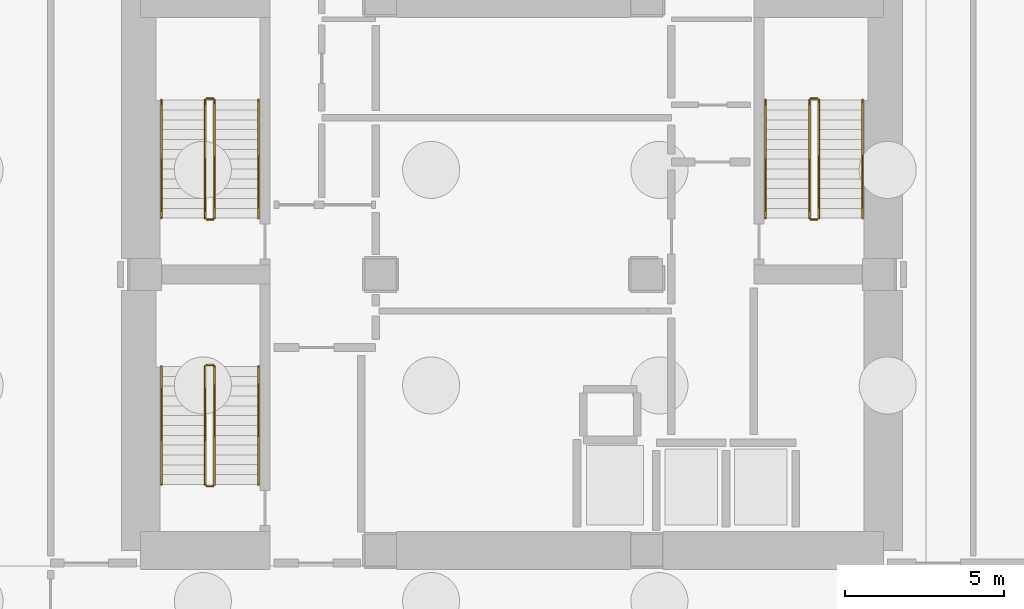
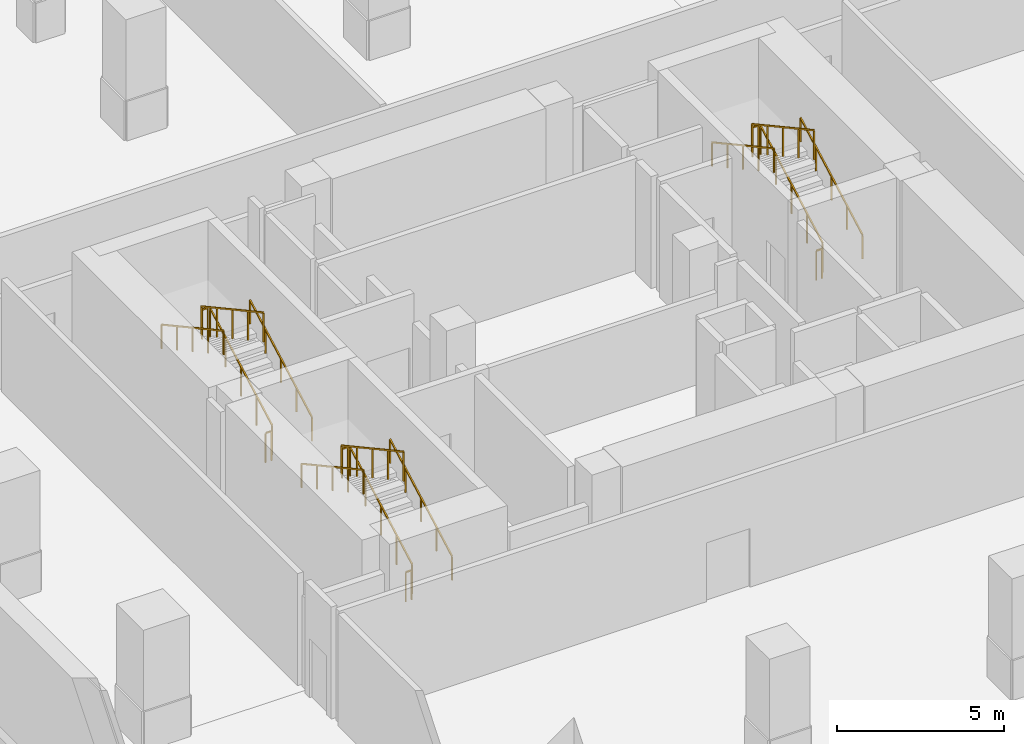
# One storey, part 11 of 13: 18 railings.
"""IFC4 building model written with IfcOpenShell, lengths in metres."""

from ifc_helpers import new_model, si_unit, direction, frame, origin, origin_2d, place, context, subcontext, project, spatial, rectangle, extrude, material, type_object, element, save


model = new_model("IFC4")

# Units and contexts
model_context = context("Model", 3, precision=1e-05, world=origin(), true_north=direction((0.0, 1.0)))
body_context = subcontext(model_context, "Body", "Model", "MODEL_VIEW")
ifc_project = project(units=[si_unit("LENGTHUNIT", "METRE"), si_unit("AREAUNIT", "SQUARE_METRE"), si_unit("VOLUMEUNIT", "CUBIC_METRE"), si_unit("PLANEANGLEUNIT", "RADIAN"), si_unit("MASSUNIT", "GRAM", prefix="KILO")], contexts=[model_context])

# Site, building, storey
site_placement = place(None, origin())
site = spatial("IfcSite", under=ifc_project, at=site_placement, CompositionType="ELEMENT")
building_placement = place(site_placement, origin())
building = spatial("IfcBuilding", under=site, at=building_placement, Name="Solanera Arch Residences", CompositionType="ELEMENT")
storey_placement = place(building_placement, frame((0.0, 0.0, -13.199951171875)))
storey = spatial("IfcBuildingStorey", under=building, at=storey_placement, Name="B03", CompositionType="ELEMENT", Elevation=-13.199951171875)

# Railings
ifc_material_1 = material(Name="Steel S355 (ASTM A992 / A572 Grade 50)", Category="steel")
railing_type_1 = type_object("IfcRailingType", Name="Stair Guardrail GR-1100", PredefinedType="GUARDRAIL", material=ifc_material_1)
railing_1_placement = place(storey_placement, frame((15.570068359375, 32.47998046875, 0.154052734375)))
element("IfcRailing", 1, at=railing_1_placement, inside=storey, type_object=railing_type_1, Name="B03 ST-T1 stair guard 1", PredefinedType="GUARDRAIL", context=body_context, shape_type="SweptSolid", body=[
    extrude(rectangle(XDim=0.048095703125, YDim=0.048095703125, at=origin_2d()), frame((0.0, 0.0, 1.076171875), z_axis=(0.0, 0.877703980351, 0.479203216679), x_axis=(-1.0, 0.0, 0.0)), (0.0, 0.0, 1.0), 4.23828125),
    extrude(rectangle(XDim=0.0419921875, YDim=0.0419921875, at=origin_2d()), origin(), (0.0, 0.0, 1.0), 1.052001953125),
    extrude(rectangle(XDim=0.0419921875, YDim=0.0419921875, at=origin_2d()), frame((0.0, 0.929931640625, 0.5078125)), (0.0, 0.0, 1.0), 1.052001953125),
    extrude(rectangle(XDim=0.0419921875, YDim=0.0419921875, at=origin_2d()), frame((0.0, 1.85986328125, 1.015625)), (0.0, 0.0, 1.0), 1.052001953125),
    extrude(rectangle(XDim=0.0419921875, YDim=0.0419921875, at=origin_2d()), frame((0.0, 2.7900390625, 1.523193359375)), (0.0, 0.0, 1.0), 1.052001953125),
    extrude(rectangle(XDim=0.0419921875, YDim=0.0419921875, at=origin_2d()), frame((0.0, 3.719970703125, 2.031005859375)), (0.0, 0.0, 1.0), 1.052001953125),
])
railing_2_placement = place(storey_placement, frame((15.52001953125, 36.25, 2.18505859375)))
element("IfcRailing", 2, at=railing_2_placement, inside=storey, type_object=railing_type_1, Name="B03 ST-T1 stair guard 2", PredefinedType="GUARDRAIL", context=body_context, shape_type="SweptSolid", body=[
    extrude(rectangle(XDim=0.048095703125, YDim=0.048095703125, at=origin_2d()), frame((0.0, 0.0, 1.076171875), z_axis=(-1.0, 0.0, 0.0), x_axis=(0.0, -1.0, 0.0)), (0.0, 0.0, 1.0), 0.199951171875),
    extrude(rectangle(XDim=0.0419921875, YDim=0.0419921875, at=origin_2d()), origin(), (0.0, 0.0, 1.0), 1.052001953125),
    extrude(rectangle(XDim=0.0419921875, YDim=0.0419921875, at=origin_2d()), frame((-0.199951171875, 0.0, 0.0)), (0.0, 0.0, 1.0), 1.052001953125),
])
railing_3_placement = place(storey_placement, frame((15.27001953125, 36.199951171875, 2.354248046875)))
element("IfcRailing", 3, at=railing_3_placement, inside=storey, type_object=railing_type_1, Name="B03 ST-T1 stair guard 3", PredefinedType="GUARDRAIL", context=body_context, shape_type="SweptSolid", body=[
    extrude(rectangle(XDim=0.048095703125, YDim=0.048095703125, at=origin_2d()), frame((0.0, 0.0, 1.076171875), z_axis=(0.0, -0.877728207833, 0.479158839191), x_axis=(1.0, 0.0, 0.0)), (0.0, 0.0, 1.0), 4.23828125),
    extrude(rectangle(XDim=0.0419921875, YDim=0.0419921875, at=origin_2d()), origin(), (0.0, 0.0, 1.0), 1.052001953125),
    extrude(rectangle(XDim=0.0419921875, YDim=0.0419921875, at=origin_2d()), frame((0.0, -0.929931640625, 0.5078125)), (0.0, 0.0, 1.0), 1.052001953125),
    extrude(rectangle(XDim=0.0419921875, YDim=0.0419921875, at=origin_2d()), frame((0.0, -1.85986328125, 1.015380859375)), (0.0, 0.0, 1.0), 1.052001953125),
    extrude(rectangle(XDim=0.0419921875, YDim=0.0419921875, at=origin_2d()), frame((0.0, -2.7900390625, 1.52294921875)), (0.0, 0.0, 1.0), 1.052001953125),
    extrude(rectangle(XDim=0.0419921875, YDim=0.0419921875, at=origin_2d()), frame((0.0, -3.719970703125, 2.03076171875)), (0.0, 0.0, 1.0), 1.052001953125),
])
railing_4_placement = place(storey_placement, frame((15.52001953125, 32.429931640625, -0.01513671875)))
element("IfcRailing", 4, at=railing_4_placement, inside=storey, type_object=railing_type_1, Name="B03 ST-T1 stair guard 4", PredefinedType="GUARDRAIL", context=body_context, shape_type="SweptSolid", body=[
    extrude(rectangle(XDim=0.048095703125, YDim=0.048095703125, at=origin_2d()), frame((0.0, 0.0, 1.076171875), z_axis=(-1.0, 0.0, 0.0), x_axis=(0.0, -1.0, 0.0)), (0.0, 0.0, 1.0), 0.199951171875),
    extrude(rectangle(XDim=0.0419921875, YDim=0.0419921875, at=origin_2d()), origin(), (0.0, 0.0, 1.0), 1.052001953125),
    extrude(rectangle(XDim=0.0419921875, YDim=0.0419921875, at=origin_2d()), frame((-0.199951171875, 0.0, 0.0)), (0.0, 0.0, 1.0), 1.052001953125),
])
railing_5_placement = place(storey_placement, frame((34.6298828125, 32.47998046875, 0.154052734375)))
element("IfcRailing", 5, at=railing_5_placement, inside=storey, type_object=railing_type_1, Name="B03 ST-T2 stair guard 1", PredefinedType="GUARDRAIL", context=body_context, shape_type="SweptSolid", body=[
    extrude(rectangle(XDim=0.048095703125, YDim=0.048095703125, at=origin_2d()), frame((0.0, 0.0, 1.076171875), z_axis=(0.0, 0.877703980351, 0.479203216679), x_axis=(-1.0, 0.0, 0.0)), (0.0, 0.0, 1.0), 4.23828125),
    extrude(rectangle(XDim=0.0419921875, YDim=0.0419921875, at=origin_2d()), origin(), (0.0, 0.0, 1.0), 1.052001953125),
    extrude(rectangle(XDim=0.0419921875, YDim=0.0419921875, at=origin_2d()), frame((0.0, 0.929931640625, 0.5078125)), (0.0, 0.0, 1.0), 1.052001953125),
    extrude(rectangle(XDim=0.0419921875, YDim=0.0419921875, at=origin_2d()), frame((0.0, 1.85986328125, 1.015625)), (0.0, 0.0, 1.0), 1.052001953125),
    extrude(rectangle(XDim=0.0419921875, YDim=0.0419921875, at=origin_2d()), frame((0.0, 2.7900390625, 1.523193359375)), (0.0, 0.0, 1.0), 1.052001953125),
    extrude(rectangle(XDim=0.0419921875, YDim=0.0419921875, at=origin_2d()), frame((0.0, 3.719970703125, 2.031005859375)), (0.0, 0.0, 1.0), 1.052001953125),
])
railing_6_placement = place(storey_placement, frame((34.580078125, 36.25, 2.18505859375)))
element("IfcRailing", 6, at=railing_6_placement, inside=storey, type_object=railing_type_1, Name="B03 ST-T2 stair guard 2", PredefinedType="GUARDRAIL", context=body_context, shape_type="SweptSolid", body=[
    extrude(rectangle(XDim=0.048095703125, YDim=0.048095703125, at=origin_2d()), frame((0.0, 0.0, 1.076171875), z_axis=(-1.0, 0.0, 0.0), x_axis=(0.0, -1.0, 0.0)), (0.0, 0.0, 1.0), 0.2001953125),
    extrude(rectangle(XDim=0.0419921875, YDim=0.0419921875, at=origin_2d()), origin(), (0.0, 0.0, 1.0), 1.052001953125),
    extrude(rectangle(XDim=0.0419921875, YDim=0.0419921875, at=origin_2d()), frame((-0.2001953125, 0.0, 0.0)), (0.0, 0.0, 1.0), 1.052001953125),
])
railing_7_placement = place(storey_placement, frame((34.330078125, 36.199951171875, 2.354248046875)))
element("IfcRailing", 7, at=railing_7_placement, inside=storey, type_object=railing_type_1, Name="B03 ST-T2 stair guard 3", PredefinedType="GUARDRAIL", context=body_context, shape_type="SweptSolid", body=[
    extrude(rectangle(XDim=0.048095703125, YDim=0.048095703125, at=origin_2d()), frame((0.0, 0.0, 1.076171875), z_axis=(0.0, -0.877728207833, 0.479158839191), x_axis=(1.0, 0.0, 0.0)), (0.0, 0.0, 1.0), 4.23828125),
    extrude(rectangle(XDim=0.0419921875, YDim=0.0419921875, at=origin_2d()), origin(), (0.0, 0.0, 1.0), 1.052001953125),
    extrude(rectangle(XDim=0.0419921875, YDim=0.0419921875, at=origin_2d()), frame((0.0, -0.929931640625, 0.5078125)), (0.0, 0.0, 1.0), 1.052001953125),
    extrude(rectangle(XDim=0.0419921875, YDim=0.0419921875, at=origin_2d()), frame((0.0, -1.85986328125, 1.015380859375)), (0.0, 0.0, 1.0), 1.052001953125),
    extrude(rectangle(XDim=0.0419921875, YDim=0.0419921875, at=origin_2d()), frame((0.0, -2.7900390625, 1.52294921875)), (0.0, 0.0, 1.0), 1.052001953125),
    extrude(rectangle(XDim=0.0419921875, YDim=0.0419921875, at=origin_2d()), frame((0.0, -3.719970703125, 2.03076171875)), (0.0, 0.0, 1.0), 1.052001953125),
])
railing_8_placement = place(storey_placement, frame((34.580078125, 32.429931640625, -0.01513671875)))
element("IfcRailing", 8, at=railing_8_placement, inside=storey, type_object=railing_type_1, Name="B03 ST-T2 stair guard 4", PredefinedType="GUARDRAIL", context=body_context, shape_type="SweptSolid", body=[
    extrude(rectangle(XDim=0.048095703125, YDim=0.048095703125, at=origin_2d()), frame((0.0, 0.0, 1.076171875), z_axis=(-1.0, 0.0, 0.0), x_axis=(0.0, -1.0, 0.0)), (0.0, 0.0, 1.0), 0.2001953125),
    extrude(rectangle(XDim=0.0419921875, YDim=0.0419921875, at=origin_2d()), origin(), (0.0, 0.0, 1.0), 1.052001953125),
    extrude(rectangle(XDim=0.0419921875, YDim=0.0419921875, at=origin_2d()), frame((-0.2001953125, 0.0, 0.0)), (0.0, 0.0, 1.0), 1.052001953125),
])
railing_9_placement = place(storey_placement, frame((15.570068359375, 24.080078125, 0.154052734375)))
element("IfcRailing", 9, at=railing_9_placement, inside=storey, type_object=railing_type_1, Name="B03 ST-T3 stair guard 1", PredefinedType="GUARDRAIL", context=body_context, shape_type="SweptSolid", body=[
    extrude(rectangle(XDim=0.048095703125, YDim=0.048095703125, at=origin_2d()), frame((0.0, 0.0, 1.076171875), z_axis=(0.0, 0.877703980351, 0.479203216679), x_axis=(-1.0, 0.0, 0.0)), (0.0, 0.0, 1.0), 4.23828125),
    extrude(rectangle(XDim=0.0419921875, YDim=0.0419921875, at=origin_2d()), origin(), (0.0, 0.0, 1.0), 1.052001953125),
    extrude(rectangle(XDim=0.0419921875, YDim=0.0419921875, at=origin_2d()), frame((0.0, 0.929931640625, 0.5078125)), (0.0, 0.0, 1.0), 1.052001953125),
    extrude(rectangle(XDim=0.0419921875, YDim=0.0419921875, at=origin_2d()), frame((0.0, 1.85986328125, 1.015625)), (0.0, 0.0, 1.0), 1.052001953125),
    extrude(rectangle(XDim=0.0419921875, YDim=0.0419921875, at=origin_2d()), frame((0.0, 2.7900390625, 1.523193359375)), (0.0, 0.0, 1.0), 1.052001953125),
    extrude(rectangle(XDim=0.0419921875, YDim=0.0419921875, at=origin_2d()), frame((0.0, 3.719970703125, 2.031005859375)), (0.0, 0.0, 1.0), 1.052001953125),
])
railing_10_placement = place(storey_placement, frame((15.52001953125, 27.85009765625, 2.18505859375)))
element("IfcRailing", 10, at=railing_10_placement, inside=storey, type_object=railing_type_1, Name="B03 ST-T3 stair guard 2", PredefinedType="GUARDRAIL", context=body_context, shape_type="SweptSolid", body=[
    extrude(rectangle(XDim=0.048095703125, YDim=0.048095703125, at=origin_2d()), frame((0.0, 0.0, 1.076171875), z_axis=(-1.0, 0.0, 0.0), x_axis=(0.0, -1.0, 0.0)), (0.0, 0.0, 1.0), 0.199951171875),
    extrude(rectangle(XDim=0.0419921875, YDim=0.0419921875, at=origin_2d()), origin(), (0.0, 0.0, 1.0), 1.052001953125),
    extrude(rectangle(XDim=0.0419921875, YDim=0.0419921875, at=origin_2d()), frame((-0.199951171875, 0.0, 0.0)), (0.0, 0.0, 1.0), 1.052001953125),
])
railing_11_placement = place(storey_placement, frame((15.27001953125, 27.800048828125, 2.354248046875)))
element("IfcRailing", 11, at=railing_11_placement, inside=storey, type_object=railing_type_1, Name="B03 ST-T3 stair guard 3", PredefinedType="GUARDRAIL", context=body_context, shape_type="SweptSolid", body=[
    extrude(rectangle(XDim=0.048095703125, YDim=0.048095703125, at=origin_2d()), frame((0.0, 0.0, 1.076171875), z_axis=(0.0, -0.877728207833, 0.479158839191), x_axis=(1.0, 0.0, 0.0)), (0.0, 0.0, 1.0), 4.23828125),
    extrude(rectangle(XDim=0.0419921875, YDim=0.0419921875, at=origin_2d()), origin(), (0.0, 0.0, 1.0), 1.052001953125),
    extrude(rectangle(XDim=0.0419921875, YDim=0.0419921875, at=origin_2d()), frame((0.0, -0.929931640625, 0.5078125)), (0.0, 0.0, 1.0), 1.052001953125),
    extrude(rectangle(XDim=0.0419921875, YDim=0.0419921875, at=origin_2d()), frame((0.0, -1.85986328125, 1.015380859375)), (0.0, 0.0, 1.0), 1.052001953125),
    extrude(rectangle(XDim=0.0419921875, YDim=0.0419921875, at=origin_2d()), frame((0.0, -2.7900390625, 1.52294921875)), (0.0, 0.0, 1.0), 1.052001953125),
    extrude(rectangle(XDim=0.0419921875, YDim=0.0419921875, at=origin_2d()), frame((0.0, -3.719970703125, 2.03076171875)), (0.0, 0.0, 1.0), 1.052001953125),
])
railing_12_placement = place(storey_placement, frame((15.52001953125, 24.030029296875, -0.01513671875)))
element("IfcRailing", 12, at=railing_12_placement, inside=storey, type_object=railing_type_1, Name="B03 ST-T3 stair guard 4", PredefinedType="GUARDRAIL", context=body_context, shape_type="SweptSolid", body=[
    extrude(rectangle(XDim=0.048095703125, YDim=0.048095703125, at=origin_2d()), frame((0.0, 0.0, 1.076171875), z_axis=(-1.0, 0.0, 0.0), x_axis=(0.0, -1.0, 0.0)), (0.0, 0.0, 1.0), 0.199951171875),
    extrude(rectangle(XDim=0.0419921875, YDim=0.0419921875, at=origin_2d()), origin(), (0.0, 0.0, 1.0), 1.052001953125),
    extrude(rectangle(XDim=0.0419921875, YDim=0.0419921875, at=origin_2d()), frame((-0.199951171875, 0.0, 0.0)), (0.0, 0.0, 1.0), 1.052001953125),
])
ifc_material_2 = material(Name="Steel S355 (ASTM A992 / A572 Grade 50)", Category="steel")
railing_type_2 = type_object("IfcRailingType", Name="Stair Wall Handrail HR-920", PredefinedType="HANDRAIL", material=ifc_material_2)
railing_13_placement = place(storey_placement, frame((16.949951171875, 32.47998046875, 0.169189453125)))
element("IfcRailing", 13, at=railing_13_placement, inside=storey, type_object=railing_type_2, Name="B03 ST-T1 stair handrail 1", PredefinedType="HANDRAIL", context=body_context, shape_type="SweptSolid", body=[
    extrude(rectangle(XDim=0.048095703125, YDim=0.048095703125, at=origin_2d()), frame((0.0, 0.0, 0.8759765625), z_axis=(0.0, 0.877728207833, 0.479158839191), x_axis=(-1.0, 0.0, 0.0)), (0.0, 0.0, 1.0), 4.23828125),
    extrude(rectangle(XDim=0.0419921875, YDim=0.0419921875, at=origin_2d()), origin(), (0.0, 0.0, 1.0), 0.851806640625),
    extrude(rectangle(XDim=0.0419921875, YDim=0.0419921875, at=origin_2d()), frame((0.0, 0.929931640625, 0.5078125)), (0.0, 0.0, 1.0), 0.851806640625),
    extrude(rectangle(XDim=0.0419921875, YDim=0.0419921875, at=origin_2d()), frame((0.0, 1.85986328125, 1.015380859375)), (0.0, 0.0, 1.0), 0.851806640625),
    extrude(rectangle(XDim=0.0419921875, YDim=0.0419921875, at=origin_2d()), frame((0.0, 2.7900390625, 1.52294921875)), (0.0, 0.0, 1.0), 0.851806640625),
    extrude(rectangle(XDim=0.0419921875, YDim=0.0419921875, at=origin_2d()), frame((0.0, 3.719970703125, 2.03076171875)), (0.0, 0.0, 1.0), 0.851806640625),
])
railing_14_placement = place(storey_placement, frame((13.889892578125, 36.199951171875, 2.369140625)))
element("IfcRailing", 14, at=railing_14_placement, inside=storey, type_object=railing_type_2, Name="B03 ST-T1 stair handrail 2", PredefinedType="HANDRAIL", context=body_context, shape_type="SweptSolid", body=[
    extrude(rectangle(XDim=0.048095703125, YDim=0.048095703125, at=origin_2d()), frame((0.0, 0.0, 0.8759765625), z_axis=(0.0, -0.877728207833, 0.479158839191), x_axis=(1.0, 0.0, 0.0)), (0.0, 0.0, 1.0), 4.23828125),
    extrude(rectangle(XDim=0.0419921875, YDim=0.0419921875, at=origin_2d()), origin(), (0.0, 0.0, 1.0), 0.851806640625),
    extrude(rectangle(XDim=0.0419921875, YDim=0.0419921875, at=origin_2d()), frame((0.0, -0.929931640625, 0.5078125)), (0.0, 0.0, 1.0), 0.851806640625),
    extrude(rectangle(XDim=0.0419921875, YDim=0.0419921875, at=origin_2d()), frame((0.0, -1.85986328125, 1.015380859375)), (0.0, 0.0, 1.0), 0.851806640625),
    extrude(rectangle(XDim=0.0419921875, YDim=0.0419921875, at=origin_2d()), frame((0.0, -2.7900390625, 1.52294921875)), (0.0, 0.0, 1.0), 0.851806640625),
    extrude(rectangle(XDim=0.0419921875, YDim=0.0419921875, at=origin_2d()), frame((0.0, -3.719970703125, 2.03076171875)), (0.0, 0.0, 1.0), 0.851806640625),
])
railing_15_placement = place(storey_placement, frame((36.010009765625, 32.47998046875, 0.169189453125)))
element("IfcRailing", 15, at=railing_15_placement, inside=storey, type_object=railing_type_2, Name="B03 ST-T2 stair handrail 1", PredefinedType="HANDRAIL", context=body_context, shape_type="SweptSolid", body=[
    extrude(rectangle(XDim=0.048095703125, YDim=0.048095703125, at=origin_2d()), frame((0.0, 0.0, 0.8759765625), z_axis=(0.0, 0.877728207833, 0.479158839191), x_axis=(-1.0, 0.0, 0.0)), (0.0, 0.0, 1.0), 4.23828125),
    extrude(rectangle(XDim=0.0419921875, YDim=0.0419921875, at=origin_2d()), origin(), (0.0, 0.0, 1.0), 0.851806640625),
    extrude(rectangle(XDim=0.0419921875, YDim=0.0419921875, at=origin_2d()), frame((0.0, 0.929931640625, 0.5078125)), (0.0, 0.0, 1.0), 0.851806640625),
    extrude(rectangle(XDim=0.0419921875, YDim=0.0419921875, at=origin_2d()), frame((0.0, 1.85986328125, 1.015380859375)), (0.0, 0.0, 1.0), 0.851806640625),
    extrude(rectangle(XDim=0.0419921875, YDim=0.0419921875, at=origin_2d()), frame((0.0, 2.7900390625, 1.52294921875)), (0.0, 0.0, 1.0), 0.851806640625),
    extrude(rectangle(XDim=0.0419921875, YDim=0.0419921875, at=origin_2d()), frame((0.0, 3.719970703125, 2.03076171875)), (0.0, 0.0, 1.0), 0.851806640625),
])
railing_16_placement = place(storey_placement, frame((32.949951171875, 36.199951171875, 2.369140625)))
element("IfcRailing", 16, at=railing_16_placement, inside=storey, type_object=railing_type_2, Name="B03 ST-T2 stair handrail 2", PredefinedType="HANDRAIL", context=body_context, shape_type="SweptSolid", body=[
    extrude(rectangle(XDim=0.048095703125, YDim=0.048095703125, at=origin_2d()), frame((0.0, 0.0, 0.8759765625), z_axis=(0.0, -0.877728207833, 0.479158839191), x_axis=(1.0, 0.0, 0.0)), (0.0, 0.0, 1.0), 4.23828125),
    extrude(rectangle(XDim=0.0419921875, YDim=0.0419921875, at=origin_2d()), origin(), (0.0, 0.0, 1.0), 0.851806640625),
    extrude(rectangle(XDim=0.0419921875, YDim=0.0419921875, at=origin_2d()), frame((0.0, -0.929931640625, 0.5078125)), (0.0, 0.0, 1.0), 0.851806640625),
    extrude(rectangle(XDim=0.0419921875, YDim=0.0419921875, at=origin_2d()), frame((0.0, -1.85986328125, 1.015380859375)), (0.0, 0.0, 1.0), 0.851806640625),
    extrude(rectangle(XDim=0.0419921875, YDim=0.0419921875, at=origin_2d()), frame((0.0, -2.7900390625, 1.52294921875)), (0.0, 0.0, 1.0), 0.851806640625),
    extrude(rectangle(XDim=0.0419921875, YDim=0.0419921875, at=origin_2d()), frame((0.0, -3.719970703125, 2.03076171875)), (0.0, 0.0, 1.0), 0.851806640625),
])
railing_17_placement = place(storey_placement, frame((16.949951171875, 24.080078125, 0.169189453125)))
element("IfcRailing", 17, at=railing_17_placement, inside=storey, type_object=railing_type_2, Name="B03 ST-T3 stair handrail 1", PredefinedType="HANDRAIL", context=body_context, shape_type="SweptSolid", body=[
    extrude(rectangle(XDim=0.048095703125, YDim=0.048095703125, at=origin_2d()), frame((0.0, 0.0, 0.8759765625), z_axis=(0.0, 0.877728207833, 0.479158839191), x_axis=(-1.0, 0.0, 0.0)), (0.0, 0.0, 1.0), 4.23828125),
    extrude(rectangle(XDim=0.0419921875, YDim=0.0419921875, at=origin_2d()), origin(), (0.0, 0.0, 1.0), 0.851806640625),
    extrude(rectangle(XDim=0.0419921875, YDim=0.0419921875, at=origin_2d()), frame((0.0, 0.929931640625, 0.5078125)), (0.0, 0.0, 1.0), 0.851806640625),
    extrude(rectangle(XDim=0.0419921875, YDim=0.0419921875, at=origin_2d()), frame((0.0, 1.85986328125, 1.015380859375)), (0.0, 0.0, 1.0), 0.851806640625),
    extrude(rectangle(XDim=0.0419921875, YDim=0.0419921875, at=origin_2d()), frame((0.0, 2.7900390625, 1.52294921875)), (0.0, 0.0, 1.0), 0.851806640625),
    extrude(rectangle(XDim=0.0419921875, YDim=0.0419921875, at=origin_2d()), frame((0.0, 3.719970703125, 2.03076171875)), (0.0, 0.0, 1.0), 0.851806640625),
])
railing_18_placement = place(storey_placement, frame((13.889892578125, 27.800048828125, 2.369140625)))
element("IfcRailing", 18, at=railing_18_placement, inside=storey, type_object=railing_type_2, Name="B03 ST-T3 stair handrail 2", PredefinedType="HANDRAIL", context=body_context, shape_type="SweptSolid", body=[
    extrude(rectangle(XDim=0.048095703125, YDim=0.048095703125, at=origin_2d()), frame((0.0, 0.0, 0.8759765625), z_axis=(0.0, -0.877728207833, 0.479158839191), x_axis=(1.0, 0.0, 0.0)), (0.0, 0.0, 1.0), 4.23828125),
    extrude(rectangle(XDim=0.0419921875, YDim=0.0419921875, at=origin_2d()), origin(), (0.0, 0.0, 1.0), 0.851806640625),
    extrude(rectangle(XDim=0.0419921875, YDim=0.0419921875, at=origin_2d()), frame((0.0, -0.929931640625, 0.5078125)), (0.0, 0.0, 1.0), 0.851806640625),
    extrude(rectangle(XDim=0.0419921875, YDim=0.0419921875, at=origin_2d()), frame((0.0, -1.85986328125, 1.015380859375)), (0.0, 0.0, 1.0), 0.851806640625),
    extrude(rectangle(XDim=0.0419921875, YDim=0.0419921875, at=origin_2d()), frame((0.0, -2.7900390625, 1.52294921875)), (0.0, 0.0, 1.0), 0.851806640625),
    extrude(rectangle(XDim=0.0419921875, YDim=0.0419921875, at=origin_2d()), frame((0.0, -3.719970703125, 2.03076171875)), (0.0, 0.0, 1.0), 0.851806640625),
])

save(model, "model.ifc")
